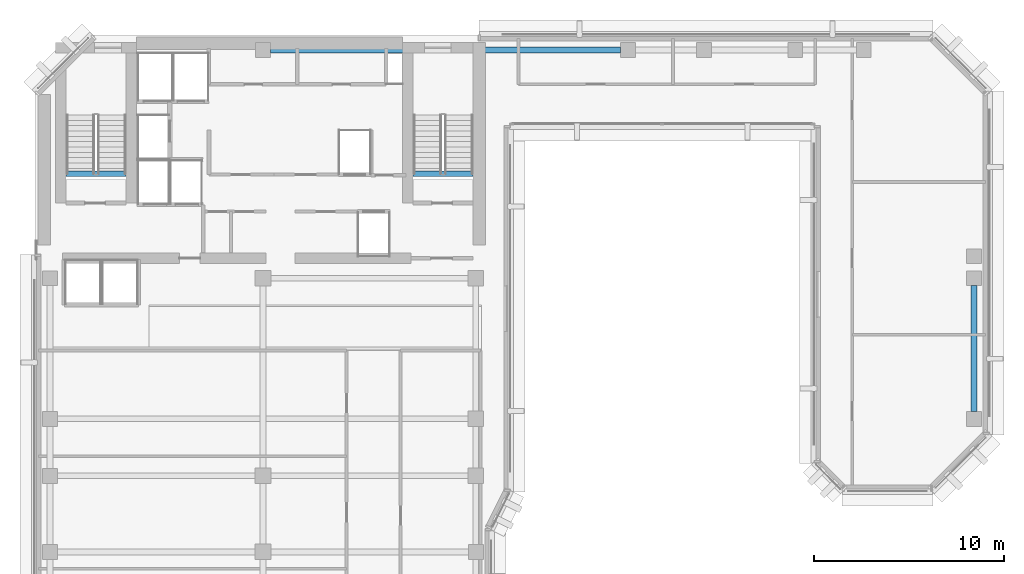
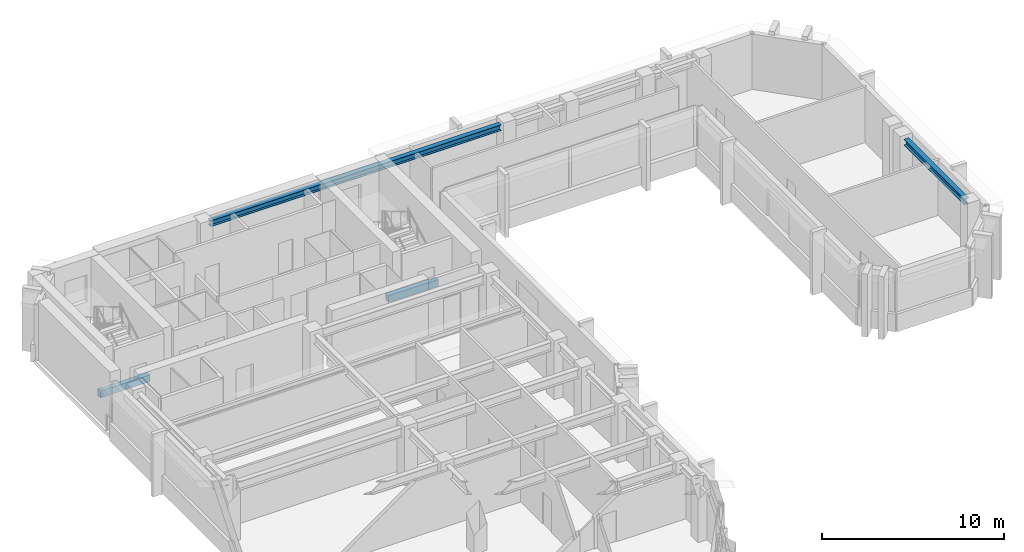
# One storey, part 3 of 11: 4 beams.
"""IFC4 building model written with IfcOpenShell, lengths in metres."""

import ifcopenshell
import ifcopenshell.guid

model = None  # the IFC model being written
_history = None  # IfcOwnerHistory: only IFC2X3 demands one
_inside = {}  # id of a spatial element -> (the spatial element, [elements in it])
_under = {}  # id of a project, library or spatial element -> (it, [spatial elements below it])
_declared = {}  # id of a project -> (the project, [libraries it declares])
_typed = {}  # id of a type object -> (the type object, [elements of that type])
_made_of = {}  # id of a material, layer set ... -> (it, [elements and type objects made of it])


def new_model(schema):
    """Start an empty IFC model of exactly this schema.

    Asked for "IFC4X3", IfcOpenShell would pick the latest addendum, in which some entities
    have other attributes; the version numbers below select the first issue.
    IFC2X3 requires an IfcOwnerHistory on every rooted entity: one is made here for all.
    """
    global model, _history
    if schema == "IFC4X3":
        model = ifcopenshell.file(schema_version=(4, 3, 0, 0))
    else:
        model = ifcopenshell.file(schema=schema)
    _inside.clear()
    _under.clear()
    _declared.clear()
    _typed.clear()
    _made_of.clear()
    _history = None
    if model.schema == "IFC2X3":
        org = make("IfcOrganization", Name="unknown")
        user = make(
            "IfcPersonAndOrganization",
            ThePerson=make("IfcPerson", FamilyName="unknown"),
            TheOrganization=org,
        )
        app = make(
            "IfcApplication",
            ApplicationDeveloper=org,
            Version="unknown",
            ApplicationFullName="unknown",
            ApplicationIdentifier="unknown",
        )
        _history = make(
            "IfcOwnerHistory",
            OwningUser=user,
            OwningApplication=app,
            ChangeAction="ADDED",
            CreationDate=0,
        )
    return model


def make(cls, **values):
    """One entity of the class cls with the attributes given. An attribute that is None is left unset."""
    return model.create_entity(
        cls, **{name: value for name, value in values.items() if value is not None}
    )


def rooted(cls, **values):
    """An entity with a GlobalId (a new one), such as an element, a storey or a relation."""
    return make(cls, GlobalId=ifcopenshell.guid.new(), OwnerHistory=_history, **values)


def si_unit(unit_type, name, prefix=None):
    """IfcSIUnit, for example si_unit("LENGTHUNIT", "METRE", prefix="MILLI")."""
    return make("IfcSIUnit", UnitType=unit_type, Prefix=prefix, Name=name)


def assignment(units):
    """IfcUnitAssignment: the units of a project."""
    return None if units is None else make("IfcUnitAssignment", Units=units)


def point(xyz):
    """IfcCartesianPoint."""
    return None if xyz is None else make("IfcCartesianPoint", Coordinates=xyz)


def direction(xyz):
    """IfcDirection."""
    return None if xyz is None else make("IfcDirection", DirectionRatios=xyz)


def frame(location, z_axis=None, x_axis=None):
    """IfcAxis2Placement3D, a coordinate frame: its origin and axes. An axis left out is left unset."""
    return make(
        "IfcAxis2Placement3D",
        Location=point(location),
        Axis=direction(z_axis),
        RefDirection=direction(x_axis),
    )


def frame_2d(location, x_axis=None):
    """IfcAxis2Placement2D, a coordinate frame in the plane: its origin and x axis."""
    return make(
        "IfcAxis2Placement2D", Location=point(location), RefDirection=direction(x_axis)
    )


def origin():
    """The frame at (0, 0, 0) with its axes left unset."""
    return frame((0.0, 0.0, 0.0))


def origin_2d():
    """The frame at (0, 0) in the plane with its x axis left unset."""
    return frame_2d((0.0, 0.0))


def place(relative_to, where):
    """IfcLocalPlacement: puts the frame where relative to a parent placement (None: the world)."""
    return make(
        "IfcLocalPlacement", PlacementRelTo=relative_to, RelativePlacement=where
    )


def context(
    kind, dimensions, precision=None, world=None, true_north=None, identifier=None
):
    """IfcGeometricRepresentationContext, for example the 3D "Model" context."""
    return make(
        "IfcGeometricRepresentationContext",
        ContextIdentifier=identifier,
        ContextType=kind,
        CoordinateSpaceDimension=dimensions,
        Precision=precision,
        WorldCoordinateSystem=world,
        TrueNorth=true_north,
    )


def subcontext(parent, identifier, kind, view, scale=None):
    """IfcGeometricRepresentationSubContext, for example "Body" below "Model"."""
    return make(
        "IfcGeometricRepresentationSubContext",
        ContextIdentifier=identifier,
        ContextType=kind,
        ParentContext=parent,
        TargetScale=scale,
        TargetView=view,
    )


def project(units=None, contexts=None):
    """IfcProject with its units and contexts."""
    return rooted(
        "IfcProject",
        Name="project",
        RepresentationContexts=contexts,
        UnitsInContext=assignment(units),
    )


def spatial(cls, under=None, at=None, **own):
    """A site, building, storey or space (cls), placed at a placement, below another one or the project."""
    s = rooted(cls, ObjectPlacement=at, **own)
    if under is not None:
        _under.setdefault(under.id(), (under, []))[1].append(s)
    return s


def profile(cls, at=None, kind="AREA", **sizes):
    """A parametric profile (cls). Its sizes go by their IFC names, for example OverallWidth=200.0."""
    return make(cls, ProfileType=kind, Position=at, **sizes)


def rectangle(**sizes):
    """IfcRectangleProfileDef."""
    return profile("IfcRectangleProfileDef", **sizes)


def i_section(**sizes):
    """IfcIShapeProfileDef."""
    return profile("IfcIShapeProfileDef", **sizes)


def extrude(swept, where, along, depth):
    """IfcExtrudedAreaSolid: the profile swept, set in the frame where, extruded along a direction by depth."""
    return make(
        "IfcExtrudedAreaSolid",
        SweptArea=swept,
        Position=where,
        ExtrudedDirection=direction(along),
        Depth=depth,
    )


def shape(context_of_items, identifier, shape_type, items):
    """IfcShapeRepresentation: the items that make up one representation, for example the "Body"."""
    return make(
        "IfcShapeRepresentation",
        ContextOfItems=context_of_items,
        RepresentationIdentifier=identifier,
        RepresentationType=shape_type,
        Items=items,
    )


def material(Name=None, Category=None):
    """IfcMaterial."""
    return make("IfcMaterial", Name=Name, Category=Category)


def material_profile(
    of_material, cross_section, Name=None, Category=None, Priority=None
):
    """IfcMaterialProfile: a cross section and its material."""
    return make(
        "IfcMaterialProfile",
        Name=Name,
        Material=of_material,
        Profile=cross_section,
        Priority=Priority,
        Category=Category,
    )


def profile_set(profiles, Name=None, composite=None):
    """IfcMaterialProfileSet."""
    return make(
        "IfcMaterialProfileSet",
        Name=Name,
        MaterialProfiles=profiles,
        CompositeProfile=composite,
    )


def made_of(thing, what):
    """Note that an element or type object is made of a material, layer set ...; save() writes the relation."""
    if what is not None:
        _made_of.setdefault(what.id(), (what, []))[1].append(thing)
    return thing


def type_object(cls, material=None, **own):
    """A type object (cls), such as IfcWallType, which elements share."""
    return made_of(rooted(cls, **own), material)


def element(
    cls,
    number,
    at=None,
    inside=None,
    cuts=None,
    type_object=None,
    material=None,
    context=None,
    identifier="Body",
    shape_type=None,
    held_by="IfcProductDefinitionShape",
    body=None,
    shapes=None,
    **own,
):
    """One element of the class cls, such as IfcWall. Its Tag is "e" and its number.

    at: its placement. inside: the storey or other place that contains it. cuts: it is an
    opening in that element (IfcRelVoidsElement). A single representation is given by context,
    identifier, shape_type and body (its items); several are given by shapes. held_by: the class
    of the entity that holds the representations. save() writes the other relations.
    """
    e = rooted(cls, Tag="e%d" % number, ObjectPlacement=at, **own)
    if body is not None:
        shapes = [shape(context, identifier, shape_type, body)]
    if shapes is not None:
        e.Representation = make(held_by, Representations=shapes)
    if inside is not None:
        _inside.setdefault(inside.id(), (inside, []))[1].append(e)
    if cuts is not None:
        rooted(
            "IfcRelVoidsElement", RelatingBuildingElement=cuts, RelatedOpeningElement=e
        )
    if type_object is not None:
        _typed.setdefault(type_object.id(), (type_object, []))[1].append(e)
    return made_of(e, material)


def aggregate(whole, parts):
    """IfcRelAggregates: a whole, such as a stair, and the parts it consists of."""
    return rooted("IfcRelAggregates", RelatingObject=whole, RelatedObjects=parts)


def save(model, path):
    """Write the relations noted so far, then the file.

    IfcRelAggregates (storeys below a building ...), IfcRelContainedInSpatialStructure (elements
    in a storey), IfcRelDefinesByType, IfcRelAssociatesMaterial and IfcRelDeclares: one each for
    every whole, place, type object, material and project.
    """
    for whole, parts in _under.values():
        aggregate(whole, parts)
    for where, things in _inside.values():
        rooted(
            "IfcRelContainedInSpatialStructure",
            RelatedElements=things,
            RelatingStructure=where,
        )
    for kind, things in _typed.values():
        rooted("IfcRelDefinesByType", RelatedObjects=things, RelatingType=kind)
    for what, things in _made_of.values():
        rooted("IfcRelAssociatesMaterial", RelatedObjects=things, RelatingMaterial=what)
    for by, libraries in _declared.values():
        rooted("IfcRelDeclares", RelatingContext=by, RelatedDefinitions=libraries)
    model.write(path)


model = new_model("IFC4")

# Units and contexts
model_context = context("Model", 3, precision=1e-05, world=origin(), true_north=direction((0.0, 1.0)))
body_context = subcontext(model_context, "Body", "Model", "MODEL_VIEW")
ifc_project = project(units=[si_unit("LENGTHUNIT", "METRE"), si_unit("AREAUNIT", "SQUARE_METRE"), si_unit("VOLUMEUNIT", "CUBIC_METRE"), si_unit("PLANEANGLEUNIT", "RADIAN"), si_unit("MASSUNIT", "GRAM", prefix="KILO")], contexts=[model_context])

# Site, building, storey
site_placement = place(None, origin())
site = spatial("IfcSite", under=ifc_project, at=site_placement, CompositionType="ELEMENT")
building_placement = place(site_placement, origin())
building = spatial("IfcBuilding", under=site, at=building_placement, Name="Kefirva Bronze Tower", CompositionType="ELEMENT")
storey_placement = place(building_placement, frame((0.0, 0.0, 223.739990234375)))
storey = spatial("IfcBuildingStorey", under=building, at=storey_placement, Name="L54", CompositionType="ELEMENT", Elevation=223.739990234375)

# Beams
ifc_material_1 = material(Name="Concrete C50/60", Category="concrete")
ifc_material_profile_1 = material_profile(ifc_material_1, rectangle(XDim=0.300048828125, YDim=0.449951171875, at=origin_2d()), Name="RC 300x450")
ifc_profile_set_1 = profile_set([ifc_material_profile_1], Name="Concrete C50/60")
beam_type_1 = type_object("IfcBeamType", Name="RC Stair Trimmer Beam 300x450", PredefinedType="BEAM", material=ifc_profile_set_1)
beam_1_placement = place(storey_placement, frame((1.64501953125, 38.699951171875, -0.22509765625), z_axis=(1.0, 0.0, 0.0), x_axis=(0.0, 1.0, 0.0)))
element("IfcBeam", 1, at=beam_1_placement, inside=storey, type_object=beam_type_1, Name="L54 Stair 1 Landing Trimmer Beam", PredefinedType="BEAM", context=body_context, shape_type="SweptSolid", body=[
    extrude(rectangle(XDim=0.300048828125, YDim=0.449951171875, at=origin_2d()), origin(), (0.0, 0.0, 1.0), 3.14990234375),
])
beam_2_placement = place(storey_placement, frame((19.89501953125, 38.699951171875, -0.22509765625), z_axis=(1.0, 0.0, 0.0), x_axis=(0.0, 1.0, 0.0)))
element("IfcBeam", 2, at=beam_2_placement, inside=storey, type_object=beam_type_1, Name="L54 Stair 2 Landing Trimmer Beam", PredefinedType="BEAM", context=body_context, shape_type="SweptSolid", body=[
    extrude(rectangle(XDim=0.300048828125, YDim=0.449951171875, at=origin_2d()), origin(), (0.0, 0.0, 1.0), 3.159912109375),
])
ifc_material_2 = material(Name="Steel S355", Category="steel")
ifc_material_profile_2 = material_profile(ifc_material_2, i_section(OverallWidth=0.300048828125, OverallDepth=0.39990234375, WebThickness=0.013427734375, FlangeThickness=0.02392578125, at=origin_2d()), Name="HEB 400")
ifc_profile_set_2 = profile_set([ifc_material_profile_2], Name="Steel S355")
beam_type_2 = type_object("IfcBeamType", Name="Steel Spandrel HEB 400 Ext", PredefinedType="SPANDREL", material=ifc_profile_set_2)
beam_3_placement = place(storey_placement, frame((12.389892578125, 45.199951171875, 3.510009765625), z_axis=(1.0, 0.0, 0.0), x_axis=(0.0, 1.0, 0.0)))
element("IfcBeam", 3, at=beam_3_placement, inside=storey, type_object=beam_type_2, Name="L54 BM-L54-EW-12-452", PredefinedType="SPANDREL", context=body_context, shape_type="SweptSolid", body=[
    extrude(i_section(OverallWidth=0.300048828125, OverallDepth=0.39990234375, WebThickness=0.013427734375, FlangeThickness=0.02392578125, at=origin_2d()), origin(), (0.0, 0.0, 1.0), 18.420166015625),
])
beam_4_placement = place(storey_placement, frame((49.39990234375, 26.18994140625, 3.510009765625), z_axis=(0.0, 1.0, 0.0), x_axis=(-1.0, 0.0, 0.0)))
element("IfcBeam", 4, at=beam_4_placement, inside=storey, type_object=beam_type_2, Name="L54 BM-L54-NS-494-25", PredefinedType="SPANDREL", context=body_context, shape_type="SweptSolid", body=[
    extrude(i_section(OverallWidth=0.300048828125, OverallDepth=0.39990234375, WebThickness=0.013427734375, FlangeThickness=0.02392578125, at=origin_2d()), origin(), (0.0, 0.0, 1.0), 6.6201171875),
])

save(model, "model.ifc")
